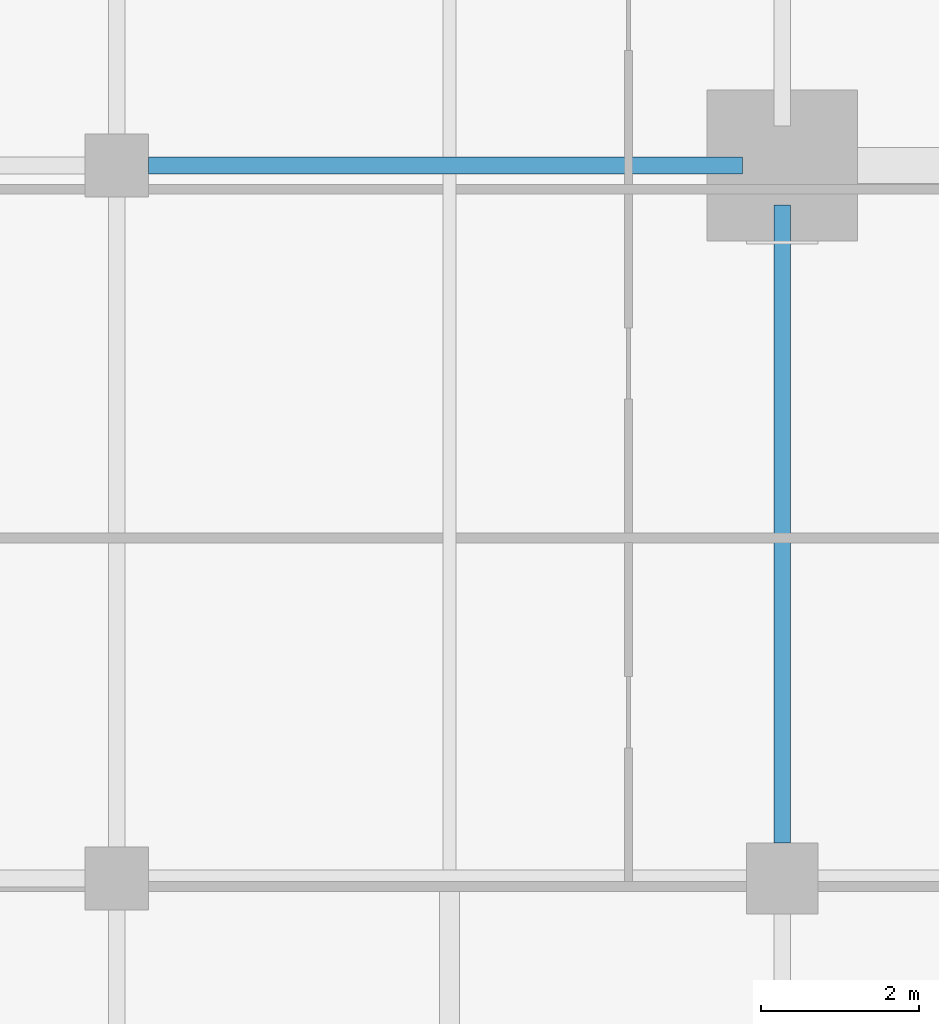
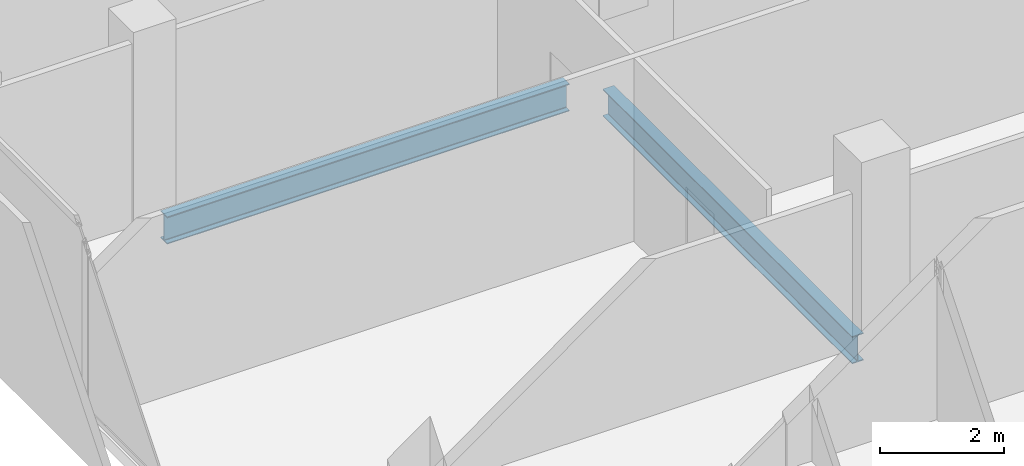
# One storey, part 9 of 34: 2 beams.
"""IFC4 building model written with IfcOpenShell, lengths in metres."""

from ifc_helpers import new_model, si_unit, direction, frame, origin, origin_2d, place, context, subcontext, project, spatial, i_section, extrude, material, material_profile, profile_set, type_object, element, save


model = new_model("IFC4")

# Units and contexts
model_context = context("Model", 3, precision=1e-05, world=origin(), true_north=direction((0.0, 1.0)))
body_context = subcontext(model_context, "Body", "Model", "MODEL_VIEW")
ifc_project = project(units=[si_unit("LENGTHUNIT", "METRE"), si_unit("AREAUNIT", "SQUARE_METRE"), si_unit("VOLUMEUNIT", "CUBIC_METRE"), si_unit("PLANEANGLEUNIT", "RADIAN"), si_unit("MASSUNIT", "GRAM", prefix="KILO")], contexts=[model_context])

# Site, building, storey
site_placement = place(None, origin())
site = spatial("IfcSite", under=ifc_project, at=site_placement, CompositionType="ELEMENT")
building_placement = place(site_placement, origin())
building = spatial("IfcBuilding", under=site, at=building_placement, Name="Maruvema Waterfront Hotel and Observation Tower", CompositionType="ELEMENT")
storey_placement = place(building_placement, frame((0.0, 0.0, 212.10009765625)))
storey = spatial("IfcBuildingStorey", under=building, at=storey_placement, Name="L52", CompositionType="ELEMENT", Elevation=212.10009765625)

# Beams
ifc_material = material(Name="Steel ASTM A572 Grade 50", Category="steel")
ifc_material_profile = material_profile(ifc_material, i_section(OverallWidth=0.2109375, OverallDepth=0.5390625, WebThickness=0.01171875, FlangeThickness=0.018798828125, FilletRadius=0.014892578125, at=origin_2d()), Name="W530x109.0")
ifc_profile_set = profile_set([ifc_material_profile], Name="Steel ASTM A572 Grade 50")
beam_type = type_object("IfcBeamType", Name="Primary Floor Girder W530x109.0", PredefinedType="BEAM", material=ifc_profile_set)
beam_1_placement = place(storey_placement, frame((17.199951171875, 27.0, -0.509521484375), z_axis=(1.0, 0.0, 0.0), x_axis=(0.0, 1.0, 0.0)))
element("IfcBeam", 1, at=beam_1_placement, inside=storey, type_object=beam_type, Name="L52 Floor Girder EW-19", PredefinedType="BEAM", context=body_context, shape_type="SweptSolid", body=[
    extrude(i_section(OverallWidth=0.2109375, OverallDepth=0.5390625, WebThickness=0.01171875, FlangeThickness=0.018798828125, FilletRadius=0.014892578125, at=origin_2d()), origin(), (0.0, 0.0, 1.0), 7.5),
])
beam_2_placement = place(storey_placement, frame((25.199951171875, 18.449951171875, -0.509521484375), z_axis=(0.0, 1.0, 0.0), x_axis=(-1.0, 0.0, 0.0)))
element("IfcBeam", 2, at=beam_2_placement, inside=storey, type_object=beam_type, Name="L52 Floor Girder NS-11", PredefinedType="BEAM", context=body_context, shape_type="SweptSolid", body=[
    extrude(i_section(OverallWidth=0.2109375, OverallDepth=0.5390625, WebThickness=0.01171875, FlangeThickness=0.018798828125, FilletRadius=0.014892578125, at=origin_2d()), origin(), (0.0, 0.0, 1.0), 8.050048828125),
])

save(model, "model.ifc")
